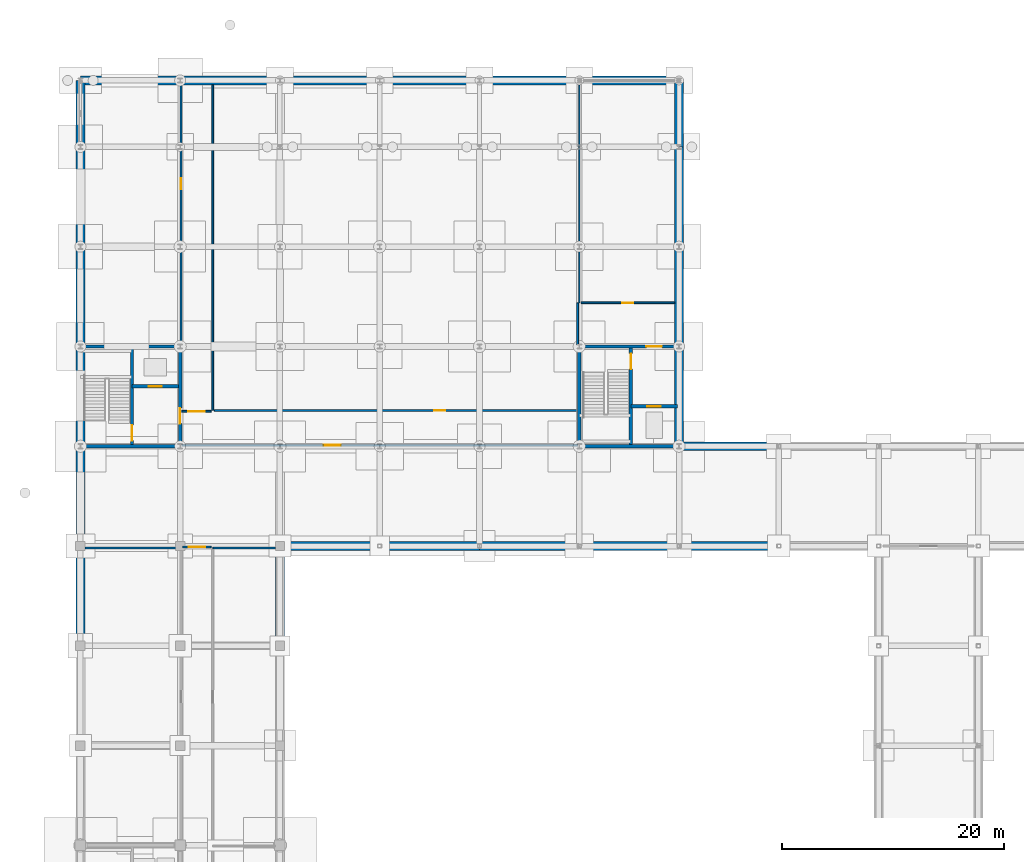
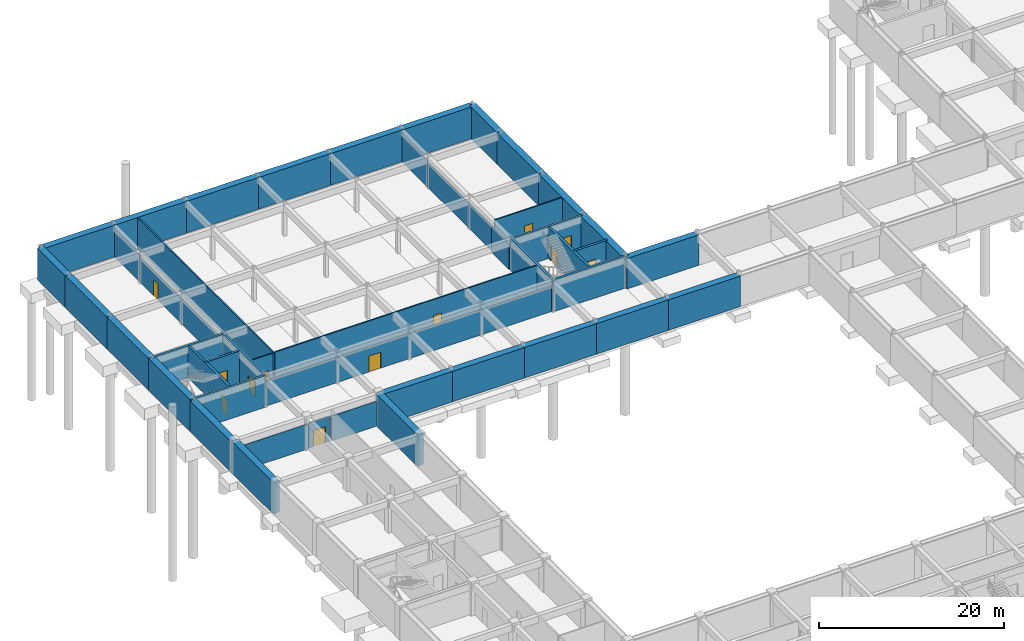
# One storey, part 28 of 41: 46 walls, 12 doors, 12 openings.
"""IFC4 building model written with IfcOpenShell, lengths in metres."""

from ifc_helpers import new_model, si_unit, direction, frame, frame_2d, origin, place, context, subcontext, project, spatial, rectangle, extrude, material, layer, layer_set, type_object, element, fill, save


model = new_model("IFC4")

# Units and contexts
model_context = context("Model", 3, precision=1e-05, world=origin(), true_north=direction((0.0, 1.0)))
body_context = subcontext(model_context, "Body", "Model", "MODEL_VIEW")
ifc_project = project(units=[si_unit("LENGTHUNIT", "METRE"), si_unit("AREAUNIT", "SQUARE_METRE"), si_unit("VOLUMEUNIT", "CUBIC_METRE"), si_unit("PLANEANGLEUNIT", "RADIAN"), si_unit("MASSUNIT", "GRAM", prefix="KILO")], contexts=[model_context])

# Site, building, storey
site_placement = place(None, origin())
site = spatial("IfcSite", under=ifc_project, at=site_placement, CompositionType="ELEMENT")
building_placement = place(site_placement, origin())
building = spatial("IfcBuilding", under=site, at=building_placement, Name="Palais des Congres Ocreval", CompositionType="ELEMENT")
storey_placement = place(building_placement, frame((0.0, 0.0, -8.9599609375)))
storey = spatial("IfcBuildingStorey", under=building, at=storey_placement, Name="B2", CompositionType="ELEMENT", Elevation=-8.9599609375)

# Wall
ifc_material_1 = material(Name="Concrete C40/50", Category="concrete")
ifc_layer_1 = layer(ifc_material_1, 0.300048828125)
ifc_layer_set_1 = layer_set([ifc_layer_1], Name="Core Shear Wall 300 Concrete C40/50")
wall_type_1 = type_object("IfcWallType", Name="Core Shear Wall 300 Concrete C40/50", PredefinedType="SHEAR", material=ifc_layer_set_1)
wall_1_placement = place(storey_placement, frame((0.0, 81.0, 0.0), z_axis=(0.0, 0.0, 1.0), x_axis=(1.0, 0.0, 0.0)))
element("IfcWall", 1, at=wall_1_placement, inside=storey, type_object=wall_type_1, Name="Core Shear Wall SC05 B2 S", PredefinedType="SHEAR", context=body_context, shape_type="SweptSolid", body=[
    extrude(rectangle(XDim=9.0, YDim=0.300048828125, at=frame_2d((4.5, 0.0))), origin(), (0.0, 0.0, 1.0), 4.199951171875),
])

# Wall, opening, door
wall_2_placement = place(storey_placement, frame((9.0, 81.0, 0.0), z_axis=(0.0, 0.0, 1.0), x_axis=(0.0, 1.0, 0.0)))
wall_2 = element("IfcWall", 2, at=wall_2_placement, inside=storey, type_object=wall_type_1, Name="Core Shear Wall SC05 B2 E", PredefinedType="SHEAR", context=body_context, shape_type="SweptSolid", body=[
    extrude(rectangle(XDim=9.0, YDim=0.300048828125, at=frame_2d((4.5, 0.0))), origin(), (0.0, 0.0, 1.0), 4.199951171875),
])
opening_1_placement = place(wall_2_placement, frame((2.050048828125, 0.0, 0.0)))
opening_1 = element("IfcOpeningElement", 3, at=opening_1_placement, cuts=wall_2, Name="Opening D03", PredefinedType="OPENING", context=body_context, shape_type="SweptSolid", body=[
    extrude(rectangle(XDim=1.39990234375, YDim=2.02001953125, at=frame_2d((0.699951171875, 1.010009765625))), frame((0.0, 0.159912109375, 0.0), z_axis=(0.0, -1.0, 0.0), x_axis=(1.0, 0.0, 0.0)), (0.0, 0.0, 1.0), 0.320068359375),
])
ifc_material_2 = material(Name="Painted fire-rated steel", Category="steel")
door_type_1 = type_object("IfcDoorType", Name="Core Lobby Rated Door 1400x2020", OperationType="NOTDEFINED", PredefinedType="DOOR", material=ifc_material_2)
door_1_placement = place(opening_1_placement, origin())
door_1 = element("IfcDoor", 4, at=door_1_placement, inside=storey, type_object=door_type_1, Name="Lobby Entrance Door SC05 B2", OperationType="DOUBLE_DOOR_SINGLE_SWING", OverallHeight=2.02001953125, OverallWidth=1.39990234375, PredefinedType="DOOR", context=body_context, shape_type="SweptSolid", body=[
    extrude(rectangle(XDim=1.39990234375, YDim=2.02001953125, at=frame_2d((0.699951171875, 1.010009765625))), frame((0.0, 0.02490234375, 0.0), z_axis=(0.0, -1.0, 0.0), x_axis=(1.0, 0.0, 0.0)), (0.0, 0.0, 1.0), 0.050048828125),
])
fill(opening_1, door_1)

# Wall
wall_3_placement = place(storey_placement, frame((0.0, 90.0, 0.0), z_axis=(0.0, 0.0, 1.0), x_axis=(1.0, 0.0, 0.0)))
element("IfcWall", 5, at=wall_3_placement, inside=storey, type_object=wall_type_1, Name="Core Shear Wall SC05 B2 N", PredefinedType="SHEAR", context=body_context, shape_type="SweptSolid", body=[
    extrude(rectangle(XDim=9.0, YDim=0.300048828125, at=frame_2d((4.5, 0.0))), origin(), (0.0, 0.0, 1.0), 4.199951171875),
])

# Wall, opening, door
wall_4_placement = place(storey_placement, frame((4.64990234375, 81.14990234375, 0.0), z_axis=(0.0, 0.0, 1.0), x_axis=(0.0, 1.0, 0.0)))
wall_4 = element("IfcWall", 6, at=wall_4_placement, inside=storey, type_object=wall_type_1, Name="Core Spine Shear Wall SC05 B2", PredefinedType="SHEAR", context=body_context, shape_type="SweptSolid", body=[
    extrude(rectangle(XDim=8.7001953125, YDim=0.300048828125, at=frame_2d((4.35009765625, 0.0))), origin(), (0.0, 0.0, 1.0), 4.199951171875),
])
opening_2_placement = place(wall_4_placement, frame((0.35009765625, 0.0, 0.0)))
opening_2 = element("IfcOpeningElement", 7, at=opening_2_placement, cuts=wall_4, Name="Opening D03", PredefinedType="OPENING", context=body_context, shape_type="SweptSolid", body=[
    extrude(rectangle(XDim=1.39990234375, YDim=2.02001953125, at=frame_2d((0.699951171875, 1.010009765625))), frame((0.0, 0.159912109375, 0.0), z_axis=(0.0, -1.0, 0.0), x_axis=(1.0, 0.0, 0.0)), (0.0, 0.0, 1.0), 0.320068359375),
])
door_2_placement = place(opening_2_placement, origin())
door_2 = element("IfcDoor", 8, at=door_2_placement, inside=storey, type_object=door_type_1, Name="Protected Exit Stair Door ST05 B2", OperationType="SINGLE_SWING_LEFT", OverallHeight=2.02001953125, OverallWidth=1.39990234375, PredefinedType="DOOR", context=body_context, shape_type="SweptSolid", body=[
    extrude(rectangle(XDim=1.39990234375, YDim=2.02001953125, at=frame_2d((0.699951171875, 1.010009765625))), frame((0.0, 0.02490234375, 0.0), z_axis=(0.0, -1.0, 0.0), x_axis=(1.0, 0.0, 0.0)), (0.0, 0.0, 1.0), 0.050048828125),
])
fill(opening_2, door_2)

wall_5_placement = place(storey_placement, frame((4.64990234375, 86.39990234375, 0.0), z_axis=(0.0, 0.0, 1.0), x_axis=(1.0, 0.0, 0.0)))
wall_5 = element("IfcWall", 9, at=wall_5_placement, inside=storey, type_object=wall_type_1, Name="Lift Shaft Front Wall SC05 B2", PredefinedType="SHEAR", context=body_context, shape_type="SweptSolid", body=[
    extrude(rectangle(XDim=4.2001953125, YDim=0.300048828125, at=frame_2d((2.10009765625, 0.0))), origin(), (0.0, 0.0, 1.0), 4.199951171875),
])
opening_3_placement = place(wall_5_placement, frame((1.5, 0.0, 0.0)))
opening_3 = element("IfcOpeningElement", 10, at=opening_3_placement, cuts=wall_5, Name="Opening LD02", PredefinedType="OPENING", context=body_context, shape_type="SweptSolid", body=[
    extrude(rectangle(XDim=1.199951171875, YDim=2.199951171875, at=frame_2d((0.60009765625, 1.10009765625))), frame((0.0, 0.159912109375, 0.0), z_axis=(0.0, -1.0, 0.0), x_axis=(1.0, 0.0, 0.0)), (0.0, 0.0, 1.0), 0.320068359375),
])
ifc_material_3 = material(Name="Anodized bronze steel", Category="steel")
door_type_2 = type_object("IfcDoorType", Name="Passenger and Service Lift Sliding Door 1200x2200", OperationType="NOTDEFINED", PredefinedType="DOOR", material=ifc_material_3)
door_3_placement = place(opening_3_placement, origin())
door_3 = element("IfcDoor", 11, at=door_3_placement, inside=storey, type_object=door_type_2, Name="Lift Landing Sliding Door CL1 B2", OperationType="DOUBLE_DOOR_SLIDING", OverallHeight=2.199951171875, OverallWidth=1.199951171875, PredefinedType="DOOR", context=body_context, shape_type="SweptSolid", body=[
    extrude(rectangle(XDim=1.199951171875, YDim=2.199951171875, at=frame_2d((0.60009765625, 1.10009765625))), frame((0.0, 0.02490234375, 0.0), z_axis=(0.0, -1.0, 0.0), x_axis=(1.0, 0.0, 0.0)), (0.0, 0.0, 1.0), 0.050048828125),
])
fill(opening_3, door_3)

# Wall
wall_6_placement = place(storey_placement, frame((45.0, 81.0, 0.0), z_axis=(0.0, 0.0, 1.0), x_axis=(1.0, 0.0, 0.0)))
element("IfcWall", 12, at=wall_6_placement, inside=storey, type_object=wall_type_1, Name="Core Shear Wall SC06 B2 S", PredefinedType="SHEAR", context=body_context, shape_type="SweptSolid", body=[
    extrude(rectangle(XDim=9.0, YDim=0.300048828125, at=frame_2d((4.5, 0.0))), origin(), (0.0, 0.0, 1.0), 4.199951171875),
])

# Wall, opening, door
wall_7_placement = place(storey_placement, frame((45.0, 90.0, 0.0), z_axis=(0.0, 0.0, 1.0), x_axis=(1.0, 0.0, 0.0)))
wall_7 = element("IfcWall", 13, at=wall_7_placement, inside=storey, type_object=wall_type_1, Name="Core Shear Wall SC06 B2 N", PredefinedType="SHEAR", context=body_context, shape_type="SweptSolid", body=[
    extrude(rectangle(XDim=9.0, YDim=0.300048828125, at=frame_2d((4.5, 0.0))), origin(), (0.0, 0.0, 1.0), 4.199951171875),
])
opening_4_placement = place(wall_7_placement, frame((6.050048828125, 0.0, 0.0)))
opening_4 = element("IfcOpeningElement", 14, at=opening_4_placement, cuts=wall_7, Name="Opening D03", PredefinedType="OPENING", context=body_context, shape_type="SweptSolid", body=[
    extrude(rectangle(XDim=1.39990234375, YDim=2.02001953125, at=frame_2d((0.699951171875, 1.010009765625))), frame((0.0, 0.159912109375, 0.0), z_axis=(0.0, -1.0, 0.0), x_axis=(1.0, 0.0, 0.0)), (0.0, 0.0, 1.0), 0.320068359375),
])
door_4_placement = place(opening_4_placement, origin())
door_4 = element("IfcDoor", 15, at=door_4_placement, inside=storey, type_object=door_type_1, Name="Lobby Entrance Door SC06 B2", OperationType="DOUBLE_DOOR_SINGLE_SWING", OverallHeight=2.02001953125, OverallWidth=1.39990234375, PredefinedType="DOOR", context=body_context, shape_type="SweptSolid", body=[
    extrude(rectangle(XDim=1.39990234375, YDim=2.02001953125, at=frame_2d((0.699951171875, 1.010009765625))), frame((0.0, 0.02490234375, 0.0), z_axis=(0.0, -1.0, 0.0), x_axis=(1.0, 0.0, 0.0)), (0.0, 0.0, 1.0), 0.050048828125),
])
fill(opening_4, door_4)

# Wall
wall_8_placement = place(storey_placement, frame((45.0, 81.0, 0.0), z_axis=(0.0, 0.0, 1.0), x_axis=(0.0, 1.0, 0.0)))
element("IfcWall", 16, at=wall_8_placement, inside=storey, type_object=wall_type_1, Name="Core Shear Wall SC06 B2 W", PredefinedType="SHEAR", context=body_context, shape_type="SweptSolid", body=[
    extrude(rectangle(XDim=9.0, YDim=0.300048828125, at=frame_2d((4.5, 0.0))), origin(), (0.0, 0.0, 1.0), 4.199951171875),
])

# Wall, opening, door
wall_9_placement = place(storey_placement, frame((49.64990234375, 81.14990234375, 0.0), z_axis=(0.0, 0.0, 1.0), x_axis=(0.0, 1.0, 0.0)))
wall_9 = element("IfcWall", 17, at=wall_9_placement, inside=storey, type_object=wall_type_1, Name="Core Spine Shear Wall SC06 B2", PredefinedType="SHEAR", context=body_context, shape_type="SweptSolid", body=[
    extrude(rectangle(XDim=8.7001953125, YDim=0.300048828125, at=frame_2d((4.35009765625, 0.0))), origin(), (0.0, 0.0, 1.0), 4.199951171875),
])
opening_5_placement = place(wall_9_placement, frame((6.800048828125, 0.0, 0.0)))
opening_5 = element("IfcOpeningElement", 18, at=opening_5_placement, cuts=wall_9, Name="Opening D03", PredefinedType="OPENING", context=body_context, shape_type="SweptSolid", body=[
    extrude(rectangle(XDim=1.39990234375, YDim=2.02001953125, at=frame_2d((0.699951171875, 1.010009765625))), frame((0.0, 0.159912109375, 0.0), z_axis=(0.0, -1.0, 0.0), x_axis=(1.0, 0.0, 0.0)), (0.0, 0.0, 1.0), 0.320068359375),
])
door_5_placement = place(opening_5_placement, origin())
door_5 = element("IfcDoor", 19, at=door_5_placement, inside=storey, type_object=door_type_1, Name="Protected Exit Stair Door ST06 B2", OperationType="SINGLE_SWING_RIGHT", OverallHeight=2.02001953125, OverallWidth=1.39990234375, PredefinedType="DOOR", context=body_context, shape_type="SweptSolid", body=[
    extrude(rectangle(XDim=1.39990234375, YDim=2.02001953125, at=frame_2d((0.699951171875, 1.010009765625))), frame((0.0, 0.02490234375, 0.0), z_axis=(0.0, -1.0, 0.0), x_axis=(1.0, 0.0, 0.0)), (0.0, 0.0, 1.0), 0.050048828125),
])
fill(opening_5, door_5)

wall_10_placement = place(storey_placement, frame((49.64990234375, 84.60009765625, 0.0), z_axis=(0.0, 0.0, 1.0), x_axis=(1.0, 0.0, 0.0)))
wall_10 = element("IfcWall", 20, at=wall_10_placement, inside=storey, type_object=wall_type_1, Name="Lift Shaft Front Wall SC06 B2", PredefinedType="SHEAR", context=body_context, shape_type="SweptSolid", body=[
    extrude(rectangle(XDim=4.2001953125, YDim=0.300048828125, at=frame_2d((2.10009765625, 0.0))), origin(), (0.0, 0.0, 1.0), 4.199951171875),
])
opening_6_placement = place(wall_10_placement, frame((1.5, 0.0, 0.0)))
opening_6 = element("IfcOpeningElement", 21, at=opening_6_placement, cuts=wall_10, Name="Opening LD02", PredefinedType="OPENING", context=body_context, shape_type="SweptSolid", body=[
    extrude(rectangle(XDim=1.199951171875, YDim=2.199951171875, at=frame_2d((0.60009765625, 1.10009765625))), frame((0.0, 0.159912109375, 0.0), z_axis=(0.0, -1.0, 0.0), x_axis=(1.0, 0.0, 0.0)), (0.0, 0.0, 1.0), 0.320068359375),
])
door_6_placement = place(opening_6_placement, origin())
door_6 = element("IfcDoor", 22, at=door_6_placement, inside=storey, type_object=door_type_2, Name="Lift Landing Sliding Door BL2 B2", OperationType="DOUBLE_DOOR_SLIDING", OverallHeight=2.199951171875, OverallWidth=1.199951171875, PredefinedType="DOOR", context=body_context, shape_type="SweptSolid", body=[
    extrude(rectangle(XDim=1.199951171875, YDim=2.199951171875, at=frame_2d((0.60009765625, 1.10009765625))), frame((0.0, 0.02490234375, 0.0), z_axis=(0.0, -1.0, 0.0), x_axis=(1.0, 0.0, 0.0)), (0.0, 0.0, 1.0), 0.050048828125),
])
fill(opening_6, door_6)

# Walls
ifc_material_4 = material(Name="Gypsum acoustic partition")
ifc_layer_2 = layer(ifc_material_4, 0.159912109375)
ifc_layer_set_2 = layer_set([ifc_layer_2], Name="Corridor Fire Partition 160 Gypsum (Gypsum acoustic partition)")
wall_type_2 = type_object("IfcWallType", Name="Corridor Fire Partition 160 Gypsum", PredefinedType="PARTITIONING", material=ifc_layer_set_2)
wall_11_placement = place(storey_placement, frame((0.405029296875, 71.824951171875, 0.0), z_axis=(0.0, 0.0, 1.0), x_axis=(1.0, 0.0, 0.0)))
element("IfcWall", 23, at=wall_11_placement, inside=storey, type_object=wall_type_2, Name="Interior Partition IW03 B2", PredefinedType="PARTITIONING", context=body_context, shape_type="SweptSolid", body=[
    extrude(rectangle(XDim=8.655029296875, YDim=0.159912109375, at=frame_2d((4.32763671875, 0.0))), origin(), (0.0, 0.0, 1.0), 3.300048828125),
])
wall_12_placement = place(storey_placement, frame((11.93994140625, 71.824951171875, 0.0), z_axis=(0.0, 0.0, 1.0), x_axis=(1.0, 0.0, 0.0)))
element("IfcWall", 24, at=wall_12_placement, inside=storey, type_object=wall_type_2, Name="Interior Partition IW03 B2", PredefinedType="PARTITIONING", context=body_context, shape_type="SweptSolid", body=[
    extrude(rectangle(XDim=5.655029296875, YDim=0.159912109375, at=frame_2d((2.82763671875, 0.0))), origin(), (0.0, 0.0, 1.0), 3.300048828125),
])
wall_13_placement = place(storey_placement, frame((11.93505859375, 84.239990234375, 0.0), z_axis=(0.0, 0.0, 1.0), x_axis=(0.0, 1.0, 0.0)))
element("IfcWall", 25, at=wall_13_placement, inside=storey, type_object=wall_type_2, Name="Interior Partition IW03 B2", PredefinedType="PARTITIONING", context=body_context, shape_type="SweptSolid", body=[
    extrude(rectangle(XDim=29.35498046875, YDim=0.159912109375, at=frame_2d((14.677490234375, 0.0))), origin(), (0.0, 0.0, 1.0), 4.199951171875),
])
wall_14_placement = place(storey_placement, frame((44.85009765625, 90.155029296875, 0.0), z_axis=(0.0, 0.0, 1.0), x_axis=(0.0, 1.0, 0.0)))
element("IfcWall", 26, at=wall_14_placement, inside=storey, type_object=wall_type_2, Name="Interior Partition IW03 B2", PredefinedType="PARTITIONING", context=body_context, shape_type="SweptSolid", body=[
    extrude(rectangle(XDim=3.77490234375, YDim=0.159912109375, at=frame_2d((1.887451171875, 0.0))), origin(), (0.0, 0.0, 1.0), 3.300048828125),
])

# Wall, opening, door
wall_15_placement = place(storey_placement, frame((9.219970703125, 71.909912109375, 0.0), z_axis=(0.0, 0.0, 1.0), x_axis=(1.0, 0.0, 0.0)))
wall_15 = element("IfcWall", 27, at=wall_15_placement, inside=storey, type_object=wall_type_2, Name="Interior Partition IW03 B2", PredefinedType="PARTITIONING", context=body_context, shape_type="SweptSolid", body=[
    extrude(rectangle(XDim=2.56005859375, YDim=0.159912109375, at=frame_2d((1.280029296875, 0.0))), origin(), (0.0, 0.0, 1.0), 3.300048828125),
])
opening_7_placement = place(wall_15_placement, frame((0.530029296875, 0.0, 0.0)))
opening_7 = element("IfcOpeningElement", 28, at=opening_7_placement, cuts=wall_15, Name="Opening D04", PredefinedType="OPENING", context=body_context, shape_type="SweptSolid", body=[
    extrude(rectangle(XDim=1.5, YDim=2.10009765625, at=frame_2d((0.75, 1.050048828125))), frame((0.0, 0.08984375, 0.0), z_axis=(0.0, -1.0, 0.0), x_axis=(1.0, 0.0, 0.0)), (0.0, 0.0, 1.0), 0.179931640625),
])
ifc_material_5 = material(Name="Solid French oak fire door", Category="wood")
door_type_3 = type_object("IfcDoorType", Name="Corridor Compartment Double Door 1500x2100", OperationType="NOTDEFINED", PredefinedType="DOOR", material=ifc_material_5)
door_7_placement = place(opening_7_placement, origin())
door_7 = element("IfcDoor", 29, at=door_7_placement, inside=storey, type_object=door_type_3, Name="Interior Door D04 B2", OperationType="DOUBLE_DOOR_SINGLE_SWING", OverallHeight=2.10009765625, OverallWidth=1.5, PredefinedType="DOOR", context=body_context, shape_type="SweptSolid", body=[
    extrude(rectangle(XDim=1.5, YDim=2.10009765625, at=frame_2d((0.75, 1.050048828125))), frame((0.0, 0.02490234375, 0.0), z_axis=(0.0, -1.0, 0.0), x_axis=(1.0, 0.0, 0.0)), (0.0, 0.0, 1.0), 0.050048828125),
])
fill(opening_7, door_7)

wall_16_placement = place(storey_placement, frame((9.155029296875, 84.14990234375, 0.0), z_axis=(0.0, 0.0, 1.0), x_axis=(1.0, 0.0, 0.0)))
wall_16 = element("IfcWall", 30, at=wall_16_placement, inside=storey, type_object=wall_type_2, Name="Interior Partition IW03 B2", PredefinedType="PARTITIONING", context=body_context, shape_type="SweptSolid", body=[
    extrude(rectangle(XDim=2.625, YDim=0.159912109375, at=frame_2d((1.3125, 0.0))), origin(), (0.0, 0.0, 1.0), 4.199951171875),
])
opening_8_placement = place(wall_16_placement, frame((0.5625, 0.0, 0.0)))
opening_8 = element("IfcOpeningElement", 31, at=opening_8_placement, cuts=wall_16, Name="Opening D04", PredefinedType="OPENING", context=body_context, shape_type="SweptSolid", body=[
    extrude(rectangle(XDim=1.5, YDim=2.10009765625, at=frame_2d((0.75, 1.050048828125))), frame((0.0, 0.08984375, 0.0), z_axis=(0.0, -1.0, 0.0), x_axis=(1.0, 0.0, 0.0)), (0.0, 0.0, 1.0), 0.179931640625),
])
door_8_placement = place(opening_8_placement, origin())
door_8 = element("IfcDoor", 32, at=door_8_placement, inside=storey, type_object=door_type_3, Name="Interior Door D04 B2", OperationType="DOUBLE_DOOR_SINGLE_SWING", OverallHeight=2.10009765625, OverallWidth=1.5, PredefinedType="DOOR", context=body_context, shape_type="SweptSolid", body=[
    extrude(rectangle(XDim=1.5, YDim=2.10009765625, at=frame_2d((0.75, 1.050048828125))), frame((0.0, 0.02490234375, 0.0), z_axis=(0.0, -1.0, 0.0), x_axis=(1.0, 0.0, 0.0)), (0.0, 0.0, 1.0), 0.050048828125),
])
fill(opening_8, door_8)

wall_17_placement = place(storey_placement, frame((12.090087890625, 84.235107421875, 0.0), z_axis=(0.0, 0.0, 1.0), x_axis=(1.0, 0.0, 0.0)))
wall_17 = element("IfcWall", 33, at=wall_17_placement, inside=storey, type_object=wall_type_2, Name="Interior Partition IW03 B2", PredefinedType="PARTITIONING", context=body_context, shape_type="SweptSolid", body=[
    extrude(rectangle(XDim=32.7548828125, YDim=0.159912109375, at=frame_2d((16.37744140625, 0.0))), origin(), (0.0, 0.0, 1.0), 4.199951171875),
])
opening_9_placement = place(wall_17_placement, frame((19.80810546875, 0.0, 0.0)))
opening_9 = element("IfcOpeningElement", 34, at=opening_9_placement, cuts=wall_17, Name="Opening D10", PredefinedType="OPENING", context=body_context, shape_type="SweptSolid", body=[
    extrude(rectangle(XDim=1.0, YDim=2.10009765625, at=frame_2d((0.5, 1.050048828125))), frame((0.0, 0.08984375, 0.0), z_axis=(0.0, -1.0, 0.0), x_axis=(1.0, 0.0, 0.0)), (0.0, 0.0, 1.0), 0.179931640625),
])
ifc_material_6 = material(Name="Painted steel", Category="steel")
door_type_4 = type_object("IfcDoorType", Name="Service and Pantry Door 1000x2100", OperationType="NOTDEFINED", PredefinedType="DOOR", material=ifc_material_6)
door_9_placement = place(opening_9_placement, origin())
door_9 = element("IfcDoor", 35, at=door_9_placement, inside=storey, type_object=door_type_4, Name="Interior Door D10 B2", OperationType="SINGLE_SWING_RIGHT", OverallHeight=2.10009765625, OverallWidth=1.0, PredefinedType="DOOR", context=body_context, shape_type="SweptSolid", body=[
    extrude(rectangle(XDim=1.0, YDim=2.10009765625, at=frame_2d((0.5, 1.050048828125))), frame((0.0, 0.02490234375, 0.0), z_axis=(0.0, -1.0, 0.0), x_axis=(1.0, 0.0, 0.0)), (0.0, 0.0, 1.0), 0.050048828125),
])
fill(opening_9, door_9)

wall_18_placement = place(storey_placement, frame((9.155029296875, 81.090087890625, 0.0), z_axis=(0.0, 0.0, 1.0), x_axis=(1.0, 0.0, 0.0)))
wall_18 = element("IfcWall", 36, at=wall_18_placement, inside=storey, type_object=wall_type_2, Name="Interior Partition IW03 B2", PredefinedType="PARTITIONING", context=body_context, shape_type="SweptSolid", body=[
    extrude(rectangle(XDim=35.68994140625, YDim=0.159912109375, at=frame_2d((17.844970703125, 0.0))), origin(), (0.0, 0.0, 1.0), 3.300048828125),
])
opening_10_placement = place(wall_18_placement, frame((12.812255859375, 0.0, 0.0)))
opening_10 = element("IfcOpeningElement", 37, at=opening_10_placement, cuts=wall_18, Name="Opening D04", PredefinedType="OPENING", context=body_context, shape_type="SweptSolid", body=[
    extrude(rectangle(XDim=1.5, YDim=2.10009765625, at=frame_2d((0.75, 1.050048828125))), frame((0.0, 0.08984375, 0.0), z_axis=(0.0, -1.0, 0.0), x_axis=(1.0, 0.0, 0.0)), (0.0, 0.0, 1.0), 0.179931640625),
])
door_10_placement = place(opening_10_placement, origin())
door_10 = element("IfcDoor", 38, at=door_10_placement, inside=storey, type_object=door_type_3, Name="Interior Door D04 B2", OperationType="DOUBLE_DOOR_SINGLE_SWING", OverallHeight=2.10009765625, OverallWidth=1.5, PredefinedType="DOOR", context=body_context, shape_type="SweptSolid", body=[
    extrude(rectangle(XDim=1.5, YDim=2.10009765625, at=frame_2d((0.75, 1.050048828125))), frame((0.0, 0.02490234375, 0.0), z_axis=(0.0, -1.0, 0.0), x_axis=(1.0, 0.0, 0.0)), (0.0, 0.0, 1.0), 0.050048828125),
])
fill(opening_10, door_10)

wall_19_placement = place(storey_placement, frame((9.06494140625, 90.155029296875, 0.0), z_axis=(0.0, 0.0, 1.0), x_axis=(0.0, 1.0, 0.0)))
wall_19 = element("IfcWall", 39, at=wall_19_placement, inside=storey, type_object=wall_type_2, Name="Interior Partition IW03 B2", PredefinedType="PARTITIONING", context=body_context, shape_type="SweptSolid", body=[
    extrude(rectangle(XDim=17.864990234375, YDim=0.159912109375, at=frame_2d((8.9326171875, 0.0))), origin(), (0.0, 0.0, 1.0), 3.300048828125),
])
opening_11_placement = place(wall_19_placement, frame((14.03271484375, 0.0, 0.0)))
opening_11 = element("IfcOpeningElement", 40, at=opening_11_placement, cuts=wall_19, Name="Opening D10", PredefinedType="OPENING", context=body_context, shape_type="SweptSolid", body=[
    extrude(rectangle(XDim=1.0, YDim=2.10009765625, at=frame_2d((0.5, 1.050048828125))), frame((0.0, 0.08984375, 0.0), z_axis=(0.0, -1.0, 0.0), x_axis=(1.0, 0.0, 0.0)), (0.0, 0.0, 1.0), 0.179931640625),
])
door_11_placement = place(opening_11_placement, origin())
door_11 = element("IfcDoor", 41, at=door_11_placement, inside=storey, type_object=door_type_4, Name="Interior Door D10 B2", OperationType="SINGLE_SWING_LEFT", OverallHeight=2.10009765625, OverallWidth=1.0, PredefinedType="DOOR", context=body_context, shape_type="SweptSolid", body=[
    extrude(rectangle(XDim=1.0, YDim=2.10009765625, at=frame_2d((0.5, 1.050048828125))), frame((0.0, 0.02490234375, 0.0), z_axis=(0.0, -1.0, 0.0), x_axis=(1.0, 0.0, 0.0)), (0.0, 0.0, 1.0), 0.050048828125),
])
fill(opening_11, door_11)

wall_20_placement = place(storey_placement, frame((45.155029296875, 93.93505859375, 0.0), z_axis=(0.0, 0.0, 1.0), x_axis=(1.0, 0.0, 0.0)))
wall_20 = element("IfcWall", 42, at=wall_20_placement, inside=storey, type_object=wall_type_2, Name="Interior Partition IW03 B2", PredefinedType="PARTITIONING", context=body_context, shape_type="SweptSolid", body=[
    extrude(rectangle(XDim=8.43994140625, YDim=0.159912109375, at=frame_2d((4.219970703125, 0.0))), origin(), (0.0, 0.0, 1.0), 4.199951171875),
])
opening_12_placement = place(wall_20_placement, frame((3.719970703125, 0.0, 0.0)))
opening_12 = element("IfcOpeningElement", 43, at=opening_12_placement, cuts=wall_20, Name="Opening D10", PredefinedType="OPENING", context=body_context, shape_type="SweptSolid", body=[
    extrude(rectangle(XDim=1.0, YDim=2.10009765625, at=frame_2d((0.5, 1.050048828125))), frame((0.0, 0.08984375, 0.0), z_axis=(0.0, -1.0, 0.0), x_axis=(1.0, 0.0, 0.0)), (0.0, 0.0, 1.0), 0.179931640625),
])
door_12_placement = place(opening_12_placement, origin())
door_12 = element("IfcDoor", 44, at=door_12_placement, inside=storey, type_object=door_type_4, Name="Interior Door D10 B2", OperationType="SINGLE_SWING_RIGHT", OverallHeight=2.10009765625, OverallWidth=1.0, PredefinedType="DOOR", context=body_context, shape_type="SweptSolid", body=[
    extrude(rectangle(XDim=1.0, YDim=2.10009765625, at=frame_2d((0.5, 1.050048828125))), frame((0.0, 0.02490234375, 0.0), z_axis=(0.0, -1.0, 0.0), x_axis=(1.0, 0.0, 0.0)), (0.0, 0.0, 1.0), 0.050048828125),
])
fill(opening_12, door_12)

# Walls
wall_21_placement = place(storey_placement, frame((9.06494140625, 108.02001953125, 0.0), z_axis=(0.0, 0.0, 1.0), x_axis=(0.0, 1.0, 0.0)))
element("IfcWall", 45, at=wall_21_placement, inside=storey, type_object=wall_type_2, Name="Interior Partition IW03 B2", PredefinedType="PARTITIONING", context=body_context, shape_type="SweptSolid", body=[
    extrude(rectangle(XDim=5.574951171875, YDim=0.159912109375, at=frame_2d((2.78759765625, 0.0))), origin(), (0.0, 0.0, 1.0), 3.5),
])
ifc_material_7 = material(Name="Concrete C35/45", Category="concrete")
ifc_layer_3 = layer(ifc_material_7, 0.800048828125)
ifc_layer_set_3 = layer_set([ifc_layer_3], Name="Retaining Diaphragm Wall 800 Concrete C35/45")
wall_type_3 = type_object("IfcWallType", Name="Retaining Diaphragm Wall 800 Concrete C35/45", PredefinedType="USERDEFINED", material=ifc_layer_set_3)
wall_22_placement = place(storey_placement, frame((0.0, 63.0, 0.0), z_axis=(0.0, 0.0, 1.0), x_axis=(0.0, 1.0, 0.0)))
element("IfcWall", 46, at=wall_22_placement, inside=storey, type_object=wall_type_3, Name="Basement Diaphragm Wall RW01 B2", ObjectType="RETAININGWALL", PredefinedType="USERDEFINED", context=body_context, shape_type="SweptSolid", body=[
    extrude(rectangle(XDim=9.0, YDim=0.800048828125, at=frame_2d((4.5, 0.0))), origin(), (0.0, 0.0, 1.0), 4.199951171875),
])
wall_23_placement = place(storey_placement, frame((0.0, 72.0, 0.0), z_axis=(0.0, 0.0, 1.0), x_axis=(0.0, 1.0, 0.0)))
element("IfcWall", 47, at=wall_23_placement, inside=storey, type_object=wall_type_3, Name="Basement Diaphragm Wall RW01 B2", ObjectType="RETAININGWALL", PredefinedType="USERDEFINED", context=body_context, shape_type="SweptSolid", body=[
    extrude(rectangle(XDim=9.0, YDim=0.800048828125, at=frame_2d((4.5, 0.0))), origin(), (0.0, 0.0, 1.0), 4.030029296875),
])
for number, where, z_axis, x_axis, name in (
    (48, (0.0, 81.0, 0.0), (0.0, 0.0, 1.0), (0.0, 1.0, 0.0), "Basement Diaphragm Wall RW01 B2"),
    (49, (0.0, 90.0, 0.0), (0.0, 0.0, 1.0), (0.0, 1.0, 0.0), "Basement Diaphragm Wall RW01 B2"),
    (50, (0.0, 99.0, 0.0), (0.0, 0.0, 1.0), (0.0, 1.0, 0.0), "Basement Diaphragm Wall RW01 B2"),
):
    element("IfcWall", number, at=place(storey_placement, frame(where, z_axis=z_axis, x_axis=x_axis)), inside=storey, type_object=wall_type_3, Name=name, ObjectType="RETAININGWALL", PredefinedType="USERDEFINED", context=body_context, shape_type="SweptSolid", body=[
        extrude(rectangle(XDim=9.0, YDim=0.800048828125, at=frame_2d((4.5, 0.0))), origin(), (0.0, 0.0, 1.0), 4.199951171875),
    ])
wall_24_placement = place(storey_placement, frame((0.0, 108.0, 0.0), z_axis=(0.0, 0.0, 1.0), x_axis=(0.0, 1.0, 0.0)))
element("IfcWall", 51, at=wall_24_placement, inside=storey, type_object=wall_type_3, Name="Basement Diaphragm Wall RW01 B2", ObjectType="RETAININGWALL", PredefinedType="USERDEFINED", context=body_context, shape_type="SweptSolid", body=[
    extrude(rectangle(XDim=6.0, YDim=0.800048828125, at=frame_2d((3.0, 0.0))), origin(), (0.0, 0.0, 1.0), 4.199951171875),
])
for number, where, z_axis, x_axis, name in (
    (52, (0.0, 114.0, 0.0), (0.0, 0.0, 1.0), (1.0, 0.0, 0.0), "Basement Diaphragm Wall RW01 B2"),
    (53, (9.0, 114.0, 0.0), (0.0, 0.0, 1.0), (1.0, 0.0, 0.0), "Basement Diaphragm Wall RW01 B2"),
    (54, (18.0, 114.0, 0.0), (0.0, 0.0, 1.0), (1.0, 0.0, 0.0), "Basement Diaphragm Wall RW01 B2"),
    (55, (27.0, 114.0, 0.0), (0.0, 0.0, 1.0), (1.0, 0.0, 0.0), "Basement Diaphragm Wall RW01 B2"),
    (56, (36.0, 114.0, 0.0), (0.0, 0.0, 1.0), (1.0, 0.0, 0.0), "Basement Diaphragm Wall RW01 B2"),
    (57, (45.0, 114.0, 0.0), (0.0, 0.0, 1.0), (1.0, 0.0, 0.0), "Basement Diaphragm Wall RW01 B2"),
):
    element("IfcWall", number, at=place(storey_placement, frame(where, z_axis=z_axis, x_axis=x_axis)), inside=storey, type_object=wall_type_3, Name=name, ObjectType="RETAININGWALL", PredefinedType="USERDEFINED", context=body_context, shape_type="SweptSolid", body=[
        extrude(rectangle(XDim=9.0, YDim=0.800048828125, at=frame_2d((4.5, 0.0))), origin(), (0.0, 0.0, 1.0), 4.199951171875),
    ])
wall_25_placement = place(storey_placement, frame((54.0, 114.0, 0.0), z_axis=(0.0, 0.0, 1.0), x_axis=(0.0, -1.0, 0.0)))
element("IfcWall", 58, at=wall_25_placement, inside=storey, type_object=wall_type_3, Name="Basement Diaphragm Wall RW01 B2", ObjectType="RETAININGWALL", PredefinedType="USERDEFINED", context=body_context, shape_type="SweptSolid", body=[
    extrude(rectangle(XDim=6.0, YDim=0.800048828125, at=frame_2d((3.0, 0.0))), origin(), (0.0, 0.0, 1.0), 4.199951171875),
])
for number, where, z_axis, x_axis, name in (
    (59, (54.0, 108.0, 0.0), (0.0, 0.0, 1.0), (0.0, -1.0, 0.0), "Basement Diaphragm Wall RW01 B2"),
    (60, (54.0, 99.0, 0.0), (0.0, 0.0, 1.0), (0.0, -1.0, 0.0), "Basement Diaphragm Wall RW01 B2"),
    (61, (54.0, 90.0, 0.0), (0.0, 0.0, 1.0), (0.0, -1.0, 0.0), "Basement Diaphragm Wall RW01 B2"),
):
    element("IfcWall", number, at=place(storey_placement, frame(where, z_axis=z_axis, x_axis=x_axis)), inside=storey, type_object=wall_type_3, Name=name, ObjectType="RETAININGWALL", PredefinedType="USERDEFINED", context=body_context, shape_type="SweptSolid", body=[
        extrude(rectangle(XDim=9.0, YDim=0.800048828125, at=frame_2d((4.5, 0.0))), origin(), (0.0, 0.0, 1.0), 4.199951171875),
    ])
wall_26_placement = place(storey_placement, frame((54.0, 81.0, 0.0), z_axis=(0.0, 0.0, 1.0), x_axis=(1.0, 0.0, 0.0)))
element("IfcWall", 62, at=wall_26_placement, inside=storey, type_object=wall_type_3, Name="Basement Diaphragm Wall RW01 B2", ObjectType="RETAININGWALL", PredefinedType="USERDEFINED", context=body_context, shape_type="SweptSolid", body=[
    extrude(rectangle(XDim=9.0, YDim=0.800048828125, at=frame_2d((4.5, 0.0))), origin(), (0.0, 0.0, 1.0), 4.030029296875),
])
wall_27_placement = place(storey_placement, frame((18.0, 72.0, 0.0), z_axis=(0.0, 0.0, 1.0), x_axis=(0.0, -1.0, 0.0)))
element("IfcWall", 63, at=wall_27_placement, inside=storey, type_object=wall_type_3, Name="Basement Diaphragm Wall RW01 B2", ObjectType="RETAININGWALL", PredefinedType="USERDEFINED", context=body_context, shape_type="SweptSolid", body=[
    extrude(rectangle(XDim=9.0, YDim=0.800048828125, at=frame_2d((4.5, 0.0))), origin(), (0.0, 0.0, 1.0), 4.199951171875),
])
for number, where, z_axis, x_axis, name in (
    (64, (63.0, 72.0, 0.0), (0.0, 0.0, 1.0), (-1.0, 0.0, 0.0), "Basement Diaphragm Wall RW01 B2"),
    (65, (54.0, 72.0, 0.0), (0.0, 0.0, 1.0), (-1.0, 0.0, 0.0), "Basement Diaphragm Wall RW01 B2"),
    (66, (45.0, 72.0, 0.0), (0.0, 0.0, 1.0), (-1.0, 0.0, 0.0), "Basement Diaphragm Wall RW01 B2"),
    (67, (36.0, 72.0, 0.0), (0.0, 0.0, 1.0), (-1.0, 0.0, 0.0), "Basement Diaphragm Wall RW01 B2"),
    (68, (27.0, 72.0, 0.0), (0.0, 0.0, 1.0), (-1.0, 0.0, 0.0), "Basement Diaphragm Wall RW01 B2"),
):
    element("IfcWall", number, at=place(storey_placement, frame(where, z_axis=z_axis, x_axis=x_axis)), inside=storey, type_object=wall_type_3, Name=name, ObjectType="RETAININGWALL", PredefinedType="USERDEFINED", context=body_context, shape_type="SweptSolid", body=[
        extrude(rectangle(XDim=9.0, YDim=0.800048828125, at=frame_2d((4.5, 0.0))), origin(), (0.0, 0.0, 1.0), 4.030029296875),
    ])
ifc_material_8 = material(Name="Gypsum board partition")
ifc_layer_4 = layer(ifc_material_8, 0.1201171875)
ifc_layer_set_4 = layer_set([ifc_layer_4], Name="Suite Subdivision Partition 120 Gypsum (Gypsum board partition)")
wall_type_4 = type_object("IfcWallType", Name="Suite Subdivision Partition 120 Gypsum", PredefinedType="PARTITIONING", material=ifc_layer_set_4)
wall_28_placement = place(storey_placement, frame((45.0, 93.93994140625, 0.0), z_axis=(0.0, 0.0, 1.0), x_axis=(0.0, 1.0, 0.0)))
element("IfcWall", 69, at=wall_28_placement, inside=storey, type_object=wall_type_4, Name="Interior Partition IW04 B2", PredefinedType="PARTITIONING", context=body_context, shape_type="SweptSolid", body=[
    extrude(rectangle(XDim=14.080078125, YDim=0.1201171875, at=frame_2d((7.0400390625, 0.0))), origin(), (0.0, 0.0, 1.0), 3.300048828125),
])
wall_29_placement = place(storey_placement, frame((45.0, 108.02001953125, 0.0), z_axis=(0.0, 0.0, 1.0), x_axis=(0.0, 1.0, 0.0)))
element("IfcWall", 70, at=wall_29_placement, inside=storey, type_object=wall_type_4, Name="Interior Partition IW04 B2", PredefinedType="PARTITIONING", context=body_context, shape_type="SweptSolid", body=[
    extrude(rectangle(XDim=5.574951171875, YDim=0.1201171875, at=frame_2d((2.78759765625, 0.0))), origin(), (0.0, 0.0, 1.0), 3.5),
])

save(model, "model.ifc")
